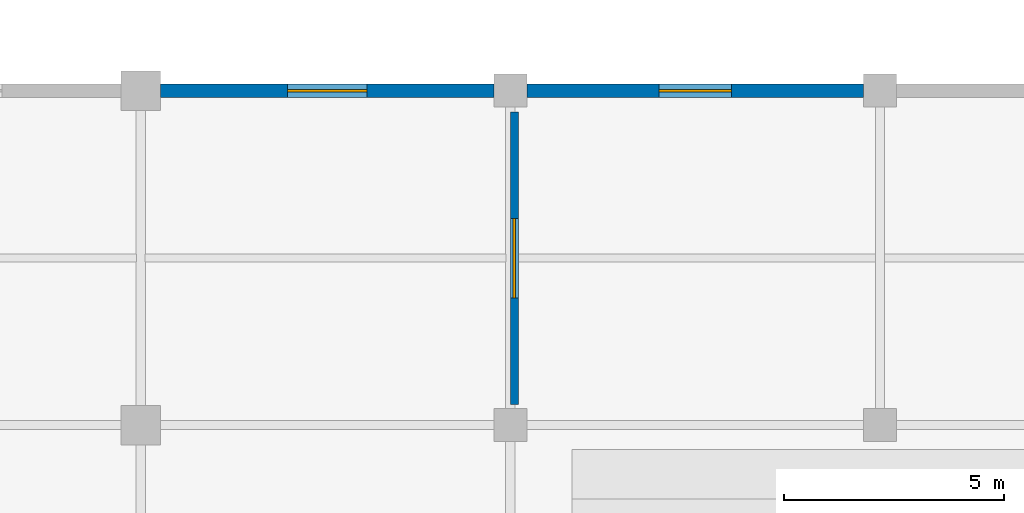
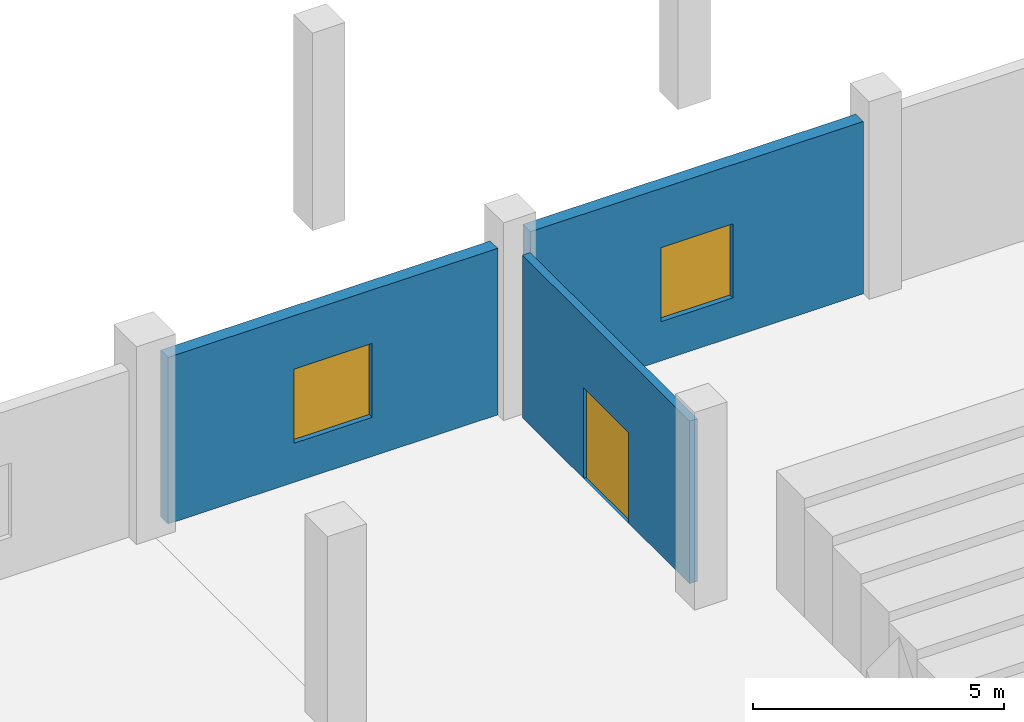
# One storey, part 20 of 36: 3 walls, 2 windows, 1 door, 3 openings.
"""IFC4 building model written with IfcOpenShell, lengths in metres."""

from ifc_helpers import new_model, si_unit, direction, frame, frame_2d, origin, place, context, subcontext, project, spatial, rectangle, extrude, material, layer, layer_set, type_object, element, fill, save


model = new_model("IFC4")

# Units and contexts
model_context = context("Model", 3, precision=1e-05, world=origin(), true_north=direction((0.0, 1.0)))
body_context = subcontext(model_context, "Body", "Model", "MODEL_VIEW")
ifc_project = project(units=[si_unit("LENGTHUNIT", "METRE"), si_unit("AREAUNIT", "SQUARE_METRE"), si_unit("VOLUMEUNIT", "CUBIC_METRE"), si_unit("PLANEANGLEUNIT", "RADIAN"), si_unit("MASSUNIT", "GRAM", prefix="KILO")], contexts=[model_context])

# Site, building, storey
site_placement = place(None, origin())
site = spatial("IfcSite", under=ifc_project, at=site_placement, CompositionType="ELEMENT")
building_placement = place(site_placement, origin())
building = spatial("IfcBuilding", under=site, at=building_placement, Name="Zuvorla Pavilion Media Centre", CompositionType="ELEMENT")
storey_placement = place(building_placement, origin())
storey = spatial("IfcBuildingStorey", under=building, at=storey_placement, Name="L00", CompositionType="ELEMENT", Elevation=0.0)

# Wall, opening, window
ifc_material_1 = material(Name="White rendered concrete C32/40", Category="concrete")
ifc_layer_1 = layer(ifc_material_1, 0.300048828125)
ifc_layer_set_1 = layer_set([ifc_layer_1], Name="White rendered concrete C32/40")
wall_type_1 = type_object("IfcWallType", Name="WL-EXT-300", PredefinedType="SOLIDWALL", material=ifc_layer_set_1)
wall_1_placement = place(storey_placement, frame((133.625, 44.0, 0.0), z_axis=(0.0, 0.0, 1.0), x_axis=(-1.0, 0.0, 0.0)))
wall_1 = element("IfcWall", 1, at=wall_1_placement, inside=storey, type_object=wall_type_1, Name="L00 exterior solid wall EW03 73", PredefinedType="SOLIDWALL", context=body_context, shape_type="SweptSolid", body=[
    extrude(rectangle(XDim=7.64990234375, YDim=0.300048828125, at=frame_2d((3.824951171875, 0.0))), origin(), (0.0, 0.0, 1.0), 4.18701171875),
])
opening_1_placement = place(wall_1_placement, frame((3.0, 0.0, 0.949951171875)))
opening_1 = element("IfcOpeningElement", 2, at=opening_1_placement, cuts=wall_1, Name="Opening WN11", PredefinedType="OPENING", context=body_context, shape_type="SweptSolid", body=[
    extrude(rectangle(XDim=1.64990234375, YDim=1.800048828125, at=frame_2d((0.824951171875, 0.89990234375))), frame((0.0, 0.159912109375, 0.0), z_axis=(0.0, -1.0, 0.0), x_axis=(1.0, 0.0, 0.0)), (0.0, 0.0, 1.0), 0.320068359375),
])
ifc_material_2 = material(Name="Anodised aluminium frame with solar double glazing", Category="aluminium")
window_type_1 = type_object("IfcWindowType", Name="WIN-WN11", PartitioningType="SINGLE_PANEL", PredefinedType="WINDOW", material=ifc_material_2)
window_1_placement = place(opening_1_placement, origin())
window_1 = element("IfcWindow", 3, at=window_1_placement, inside=storey, type_object=window_type_1, Name="L00 window WN11 11", OverallHeight=1.800048828125, OverallWidth=1.64990234375, PartitioningType="SINGLE_PANEL", PredefinedType="WINDOW", context=body_context, shape_type="SweptSolid", body=[
    extrude(rectangle(XDim=1.64990234375, YDim=1.800048828125, at=frame_2d((0.824951171875, 0.89990234375))), frame((0.0, 0.030029296875, 0.0), z_axis=(0.0, -1.0, 0.0), x_axis=(1.0, 0.0, 0.0)), (0.0, 0.0, 1.0), 0.06005859375),
])
fill(opening_1, window_1)

wall_2_placement = place(storey_placement, frame((125.22509765625, 44.0, 0.0), z_axis=(0.0, 0.0, 1.0), x_axis=(-1.0, 0.0, 0.0)))
wall_2 = element("IfcWall", 4, at=wall_2_placement, inside=storey, type_object=wall_type_1, Name="L00 exterior solid wall EW03 74", PredefinedType="SOLIDWALL", context=body_context, shape_type="SweptSolid", body=[
    extrude(rectangle(XDim=7.5751953125, YDim=0.300048828125, at=frame_2d((3.78759765625, 0.0))), origin(), (0.0, 0.0, 1.0), 4.047119140625),
])
opening_2_placement = place(wall_2_placement, frame((2.887451171875, 0.0, 0.949951171875)))
opening_2 = element("IfcOpeningElement", 5, at=opening_2_placement, cuts=wall_2, Name="Opening WN12", PredefinedType="OPENING", context=body_context, shape_type="SweptSolid", body=[
    extrude(rectangle(XDim=1.800048828125, YDim=1.800048828125, at=frame_2d((0.89990234375, 0.89990234375))), frame((0.0, 0.159912109375, 0.0), z_axis=(0.0, -1.0, 0.0), x_axis=(1.0, 0.0, 0.0)), (0.0, 0.0, 1.0), 0.320068359375),
])
window_type_2 = type_object("IfcWindowType", Name="WIN-WN12", PartitioningType="DOUBLE_PANEL_VERTICAL", PredefinedType="WINDOW", material=ifc_material_2)
window_2_placement = place(opening_2_placement, origin())
window_2 = element("IfcWindow", 6, at=window_2_placement, inside=storey, type_object=window_type_2, Name="L00 window WN12 12", OverallHeight=1.800048828125, OverallWidth=1.800048828125, PartitioningType="DOUBLE_PANEL_VERTICAL", PredefinedType="WINDOW", context=body_context, shape_type="SweptSolid", body=[
    extrude(rectangle(XDim=1.800048828125, YDim=1.800048828125, at=frame_2d((0.89990234375, 0.89990234375))), frame((0.0, 0.030029296875, 0.0), z_axis=(0.0, -1.0, 0.0), x_axis=(1.0, 0.0, 0.0)), (0.0, 0.0, 1.0), 0.06005859375),
])
fill(opening_2, window_2)

# Wall, opening, door
ifc_material_3 = material(Name="Double acoustic gypsum stud partition")
ifc_layer_2 = layer(ifc_material_3, 0.179931640625)
ifc_layer_set_2 = layer_set([ifc_layer_2], Name="Double acoustic gypsum stud partition")
wall_type_2 = type_object("IfcWallType", Name="WL-PRT-180", PredefinedType="PARTITIONING", material=ifc_layer_set_2)
wall_3_placement = place(storey_placement, frame((125.68994140625, 36.864990234375, 0.0), z_axis=(0.0, 0.0, 1.0), x_axis=(0.0, 1.0, 0.0)))
wall_3 = element("IfcWall", 7, at=wall_3_placement, inside=storey, type_object=wall_type_2, Name="L00 partition PT18 423", PredefinedType="PARTITIONING", context=body_context, shape_type="SweptSolid", body=[
    extrude(rectangle(XDim=6.655029296875, YDim=0.179931640625, at=frame_2d((3.32763671875, 0.0))), origin(), (0.0, 0.0, 1.0), 3.9501953125),
])
opening_3_placement = place(wall_3_placement, frame((2.427490234375, 0.0, 0.0)))
opening_3 = element("IfcOpeningElement", 8, at=opening_3_placement, cuts=wall_3, Name="Opening FD10", PredefinedType="OPENING", context=body_context, shape_type="SweptSolid", body=[
    extrude(rectangle(XDim=1.800048828125, YDim=2.199951171875, at=frame_2d((0.89990234375, 1.10009765625))), frame((0.0, 0.099853515625, 0.0), z_axis=(0.0, -1.0, 0.0), x_axis=(1.0, 0.0, 0.0)), (0.0, 0.0, 1.0), 0.199951171875),
])
ifc_material_4 = material(Name="Acoustic timber fire door leaf in steel frame", Category="steel")
door_type = type_object("IfcDoorType", Name="DR-INT-FD10", OperationType="NOTDEFINED", PredefinedType="DOOR", material=ifc_material_4)
door_placement = place(opening_3_placement, origin())
door = element("IfcDoor", 9, at=door_placement, inside=storey, type_object=door_type, Name="Interior door FD10 167", OperationType="DOUBLE_DOOR_SINGLE_SWING", OverallHeight=2.199951171875, OverallWidth=1.800048828125, PredefinedType="DOOR", context=body_context, shape_type="SweptSolid", body=[
    extrude(rectangle(XDim=1.800048828125, YDim=2.199951171875, at=frame_2d((0.89990234375, 1.10009765625))), frame((0.0, 0.02490234375, 0.0), z_axis=(0.0, -1.0, 0.0), x_axis=(1.0, 0.0, 0.0)), (0.0, 0.0, 1.0), 0.050048828125),
])
fill(opening_3, door)

save(model, "model.ifc")
